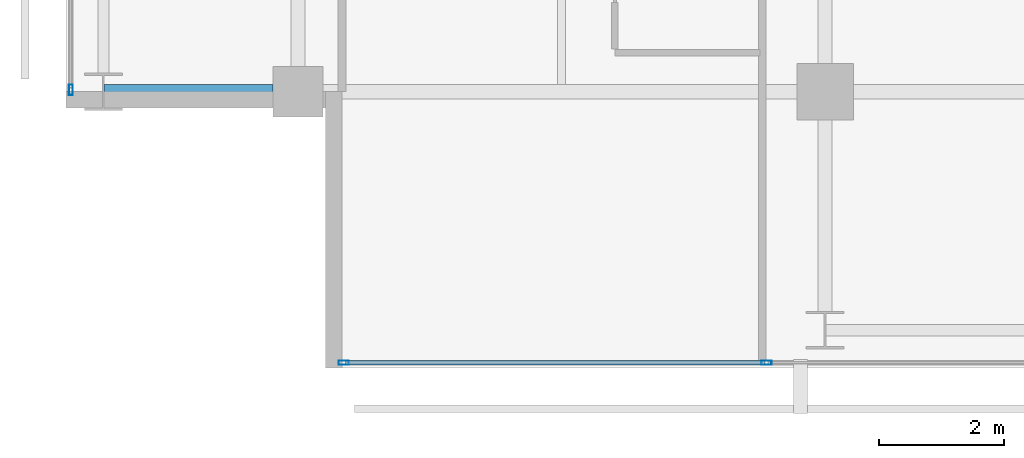
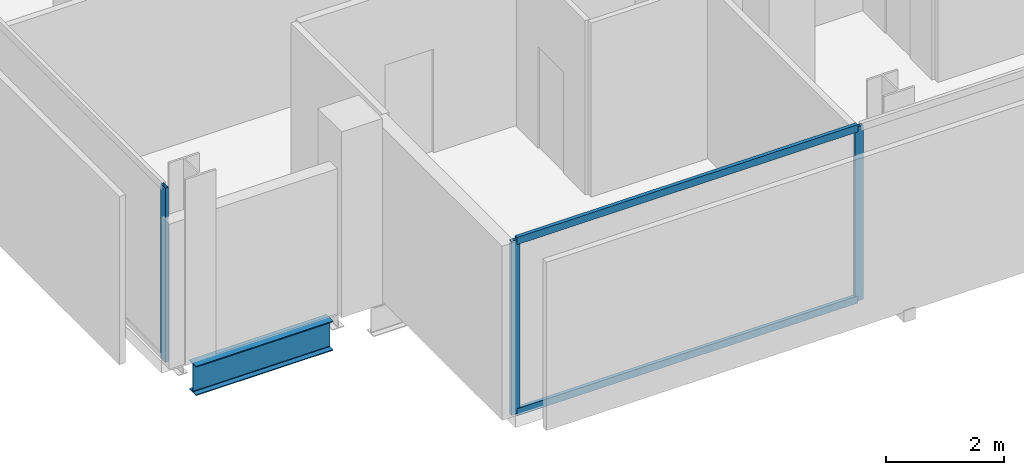
# One storey, part 2 of 33: 5 members, 1 beam, 2 elements without a shape of their own.
"""IFC4 building model written with IfcOpenShell, lengths in metres."""

from ifc_helpers import new_model, si_unit, direction, frame, origin, origin_2d, place, context, subcontext, project, spatial, hollow_rectangle, i_section, extrude, material, layer, layer_set, material_profile, profile_set, type_object, element, aggregate, save


model = new_model("IFC4")

# Units and contexts
model_context = context("Model", 3, precision=1e-05, world=origin(), true_north=direction((0.0, 1.0)))
body_context = subcontext(model_context, "Body", "Model", "MODEL_VIEW")
ifc_project = project(units=[si_unit("LENGTHUNIT", "METRE"), si_unit("AREAUNIT", "SQUARE_METRE"), si_unit("VOLUMEUNIT", "CUBIC_METRE"), si_unit("PLANEANGLEUNIT", "RADIAN"), si_unit("MASSUNIT", "GRAM", prefix="KILO")], contexts=[model_context])

# Site, building, storey
site_placement = place(None, origin())
site = spatial("IfcSite", under=ifc_project, at=site_placement, CompositionType="ELEMENT")
building_placement = place(site_placement, origin())
building = spatial("IfcBuilding", under=site, at=building_placement, Name="Maruvema Waterfront Hotel and Observation Tower", CompositionType="ELEMENT")
storey_placement = place(building_placement, frame((0.0, 0.0, 154.35009765625)))
storey = spatial("IfcBuildingStorey", under=building, at=storey_placement, Name="L37", CompositionType="ELEMENT", Elevation=154.35009765625)

# Curtain wall, members
ifc_material_1 = material(Name="Anodised bronze aluminium and solar-control low-E IGU", Category="aluminium")
ifc_layer = layer(ifc_material_1, 0.159912109375, Name="Zone 2 Amber Inner Thermal Curtain Wall System CW-03")
ifc_layer_set = layer_set([ifc_layer], Name="Anodised bronze aluminium and solar-control low-E IGU")
curtain_wall_type = type_object("IfcCurtainWallType", Name="Zone 2 Amber Inner Thermal Curtain Wall System CW-03", PredefinedType="USERDEFINED", material=ifc_layer_set)
curtain_wall_1_placement = place(storey_placement, origin())
curtain_wall_1 = element("IfcCurtainWall", 1, at=curtain_wall_1_placement, inside=storey, type_object=curtain_wall_type, Name="L37 Curtain Wall CW-L37-S", ObjectType="UNITISED CURTAIN WALL", PredefinedType="USERDEFINED")
ifc_material_2 = material(Name="Anodised architectural bronze aluminium", Category="aluminium")
ifc_material_profile_1 = material_profile(ifc_material_2, hollow_rectangle(XDim=0.070068359375, YDim=0.14990234375, WallThickness=0.00390625, at=origin_2d()), Name="ALU-T70x150")
ifc_profile_set_1 = profile_set([ifc_material_profile_1], Name="Anodised architectural bronze aluminium")
member_type_1 = type_object("IfcMemberType", Name="Curtain Wall Horizontal Transom ALU-T70x150", PredefinedType="USERDEFINED", material=ifc_profile_set_1)
member_1_placement = place(storey_placement, frame((17.56005859375, 4.679931640625, 0.02978515625), z_axis=(1.0, 0.0, 0.0), x_axis=(0.0, 1.0, 0.0)))
member_1 = element("IfcMember", 2, at=member_1_placement, type_object=member_type_1, Name="CW-03 transom 1.1", ObjectType="TRANSOM", PredefinedType="USERDEFINED", context=body_context, shape_type="SweptSolid", body=[
    extrude(hollow_rectangle(XDim=0.070068359375, YDim=0.14990234375, WallThickness=0.00390625, at=origin_2d()), origin(), (0.0, 0.0, 1.0), 6.676513671875),
])
member_2_placement = place(storey_placement, frame((17.56005859375, 4.679931640625, 3.579833984375), z_axis=(1.0, 0.0, 0.0), x_axis=(0.0, 1.0, 0.0)))
member_2 = element("IfcMember", 3, at=member_2_placement, type_object=member_type_1, Name="CW-03 transom 1.2", ObjectType="TRANSOM", PredefinedType="USERDEFINED", context=body_context, shape_type="SweptSolid", body=[
    extrude(hollow_rectangle(XDim=0.070068359375, YDim=0.14990234375, WallThickness=0.00390625, at=origin_2d()), origin(), (0.0, 0.0, 1.0), 6.676513671875),
])
ifc_material_3 = material(Name="Anodised architectural bronze aluminium", Category="aluminium")
ifc_material_profile_2 = material_profile(ifc_material_3, hollow_rectangle(XDim=0.06494140625, YDim=0.1650390625, WallThickness=0.00390625, at=origin_2d()), Name="ALU-M65x165")
ifc_profile_set_2 = profile_set([ifc_material_profile_2], Name="Anodised architectural bronze aluminium")
member_type_2 = type_object("IfcMemberType", Name="Curtain Wall Primary Mullion ALU-M65x165", PredefinedType="MULLION", material=ifc_profile_set_2)
member_3_placement = place(storey_placement, frame((17.530029296875, 4.679931640625, 0.0), z_axis=(0.0, 0.0, 1.0), x_axis=(0.0, 1.0, 0.0)))
member_3 = element("IfcMember", 4, at=member_3_placement, type_object=member_type_2, Name="CW-03 mullion 1", PredefinedType="MULLION", context=body_context, shape_type="SweptSolid", body=[
    extrude(hollow_rectangle(XDim=0.06494140625, YDim=0.1650390625, WallThickness=0.00390625, at=origin_2d()), origin(), (0.0, 0.0, 1.0), 3.60986328125),
])
member_4_placement = place(storey_placement, frame((24.2666015625, 4.679931640625, 0.0), z_axis=(0.0, 0.0, 1.0), x_axis=(0.0, 1.0, 0.0)))
member_4 = element("IfcMember", 5, at=member_4_placement, type_object=member_type_2, Name="CW-03 mullion 2", PredefinedType="MULLION", context=body_context, shape_type="SweptSolid", body=[
    extrude(hollow_rectangle(XDim=0.06494140625, YDim=0.1650390625, WallThickness=0.00390625, at=origin_2d()), origin(), (0.0, 0.0, 1.0), 3.60986328125),
])
aggregate(curtain_wall_1, [member_3, member_4, member_1, member_2])

# Curtain wall, member
curtain_wall_2_placement = place(storey_placement, origin())
curtain_wall_2 = element("IfcCurtainWall", 6, at=curtain_wall_2_placement, inside=storey, type_object=curtain_wall_type, Name="L37 Curtain Wall CW-L37-W", ObjectType="UNITISED CURTAIN WALL", PredefinedType="USERDEFINED")
member_5_placement = place(storey_placement, frame((13.179931640625, 9.030029296875, 0.0), z_axis=(0.0, 0.0, 1.0), x_axis=(1.0, 0.0, 0.0)))
member_5 = element("IfcMember", 7, at=member_5_placement, type_object=member_type_2, Name="CW-03 mullion 7", PredefinedType="MULLION", context=body_context, shape_type="SweptSolid", body=[
    extrude(hollow_rectangle(XDim=0.06494140625, YDim=0.1650390625, WallThickness=0.00390625, at=origin_2d()), origin(), (0.0, 0.0, 1.0), 3.60986328125),
])
aggregate(curtain_wall_2, [member_5])

# Beam
ifc_material_4 = material(Name="Steel ASTM A572 Grade 50", Category="steel")
ifc_material_profile_3 = material_profile(ifc_material_4, i_section(OverallWidth=0.22900390625, OverallDepth=0.612060546875, WebThickness=0.011962890625, FlangeThickness=0.01953125, FilletRadius=0.01806640625, at=origin_2d()), Name="W610x125.0")
ifc_profile_set_3 = profile_set([ifc_material_profile_3], Name="Steel ASTM A572 Grade 50")
beam_type = type_object("IfcBeamType", Name="Primary Floor Girder W610x125.0", PredefinedType="BEAM", material=ifc_profile_set_3)
beam_placement = place(storey_placement, frame((13.71240234375, 9.0, -0.546142578125), z_axis=(1.0, 0.0, 0.0), x_axis=(0.0, 1.0, 0.0)))
element("IfcBeam", 8, at=beam_placement, inside=storey, type_object=beam_type, Name="L37 Floor Girder EW-04", PredefinedType="BEAM", context=body_context, shape_type="SweptSolid", body=[
    extrude(i_section(OverallWidth=0.22900390625, OverallDepth=0.612060546875, WebThickness=0.011962890625, FlangeThickness=0.01953125, FilletRadius=0.01806640625, at=origin_2d()), origin(), (0.0, 0.0, 1.0), 2.6875),
])

save(model, "model.ifc")
